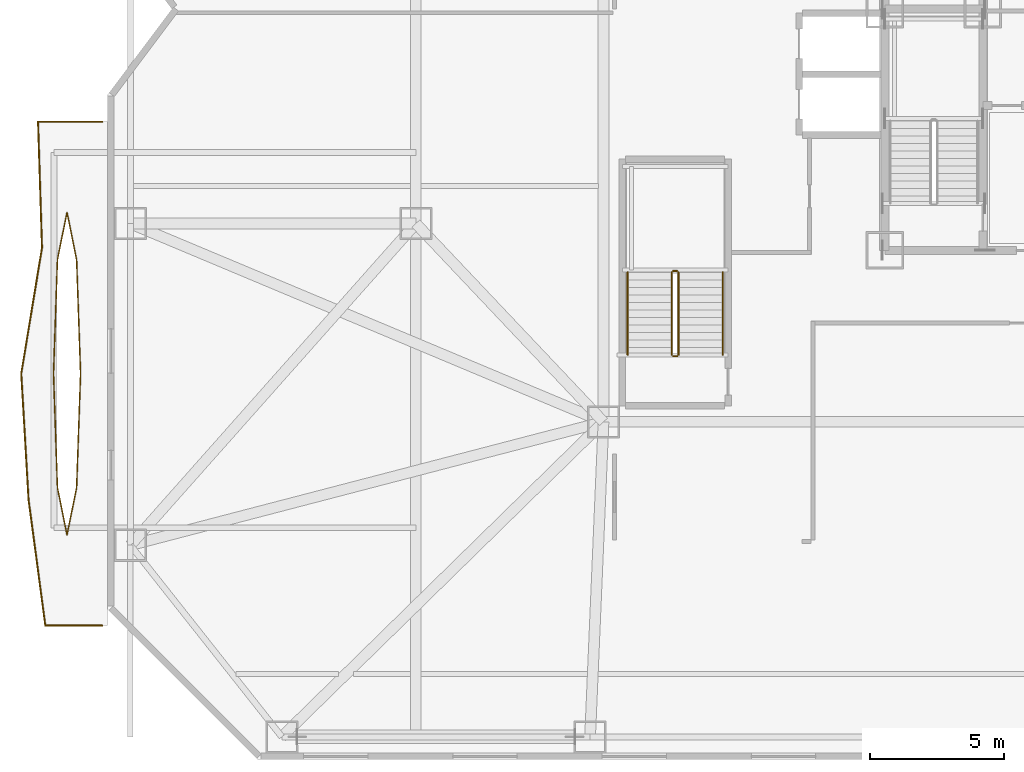
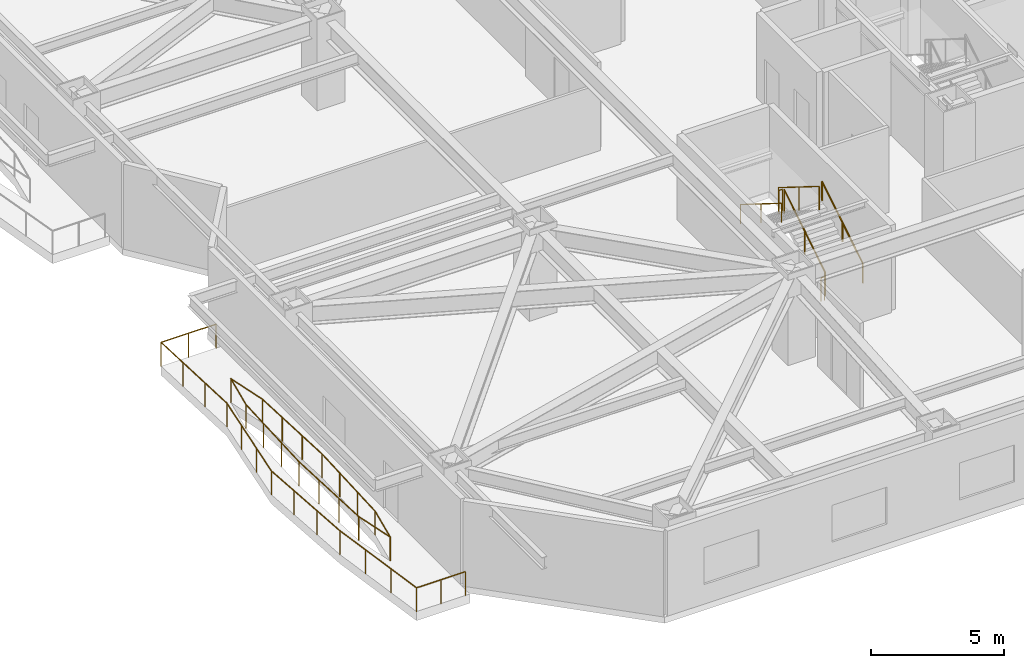
# One storey, part 20 of 25: 10 railings.
"""IFC4 building model written with IfcOpenShell, lengths in metres."""

from ifc_helpers import new_model, si_unit, direction, frame, origin, origin_2d, place, context, subcontext, project, spatial, circle, extrude, material, type_object, element, save


model = new_model("IFC4")

# Units and contexts
model_context = context("Model", 3, precision=1e-05, world=origin(), true_north=direction((0.0, 1.0)))
body_context = subcontext(model_context, "Body", "Model", "MODEL_VIEW")
ifc_project = project(units=[si_unit("LENGTHUNIT", "METRE"), si_unit("AREAUNIT", "SQUARE_METRE"), si_unit("VOLUMEUNIT", "CUBIC_METRE"), si_unit("PLANEANGLEUNIT", "RADIAN"), si_unit("MASSUNIT", "GRAM", prefix="KILO")], contexts=[model_context])

# Site, building, storey
site_placement = place(None, origin())
site = spatial("IfcSite", under=ifc_project, at=site_placement, CompositionType="ELEMENT")
building_placement = place(site_placement, origin())
building = spatial("IfcBuilding", under=site, at=building_placement, Name="Khamvora Tower", CompositionType="ELEMENT")
storey_placement = place(building_placement, frame((0.0, 0.0, 16.199951171875)))
storey = spatial("IfcBuildingStorey", under=building, at=storey_placement, Name="L03", CompositionType="ELEMENT", Elevation=16.199951171875)

# Railings
ifc_material_1 = material(Name="Stainless Steel 316 and Laminated Glass", Category="steel")
railing_type_1 = type_object("IfcRailingType", Name="RAL-GAL-1120", PredefinedType="GUARDRAIL", material=ifc_material_1)
railing_1_placement = place(storey_placement, frame((-0.199951171875, 5.0, 0.0)))
element("IfcRailing", 1, at=railing_1_placement, inside=storey, type_object=railing_type_1, Name="L03 lens gallery south perimeter guardrail WL1", PredefinedType="GUARDRAIL", context=body_context, shape_type="SweptSolid", body=[
    extrude(circle(Radius=0.02392578125, at=origin_2d()), frame((0.0, 0.0, 1.09619140625), z_axis=(-1.0, 0.0, 0.0), x_axis=(0.0, -1.0, 0.0)), (0.0, 0.0, 1.0), 2.125),
    extrude(circle(Radius=0.02392578125, at=origin_2d()), frame((-2.125, 0.0, 1.09619140625), z_axis=(-0.132224427708, 0.991219804442, 0.0), x_axis=(-0.991219804442, -0.132224427708, 0.0)), (0.0, 0.0, 1.0), 4.74169921875),
    extrude(circle(Radius=0.02392578125, at=origin_2d()), frame((-2.751953125, 4.699951171875, 1.09619140625), z_axis=(-0.057822164687, 0.998326899002, 0.0), x_axis=(-0.998326899002, -0.057822164687, 0.0)), (0.0, 0.0, 1.0), 4.707763671875),
    extrude(circle(Radius=0.02099609375, at=origin_2d()), origin(), (0.0, 0.0, 1.0), 1.072021484375),
    extrude(circle(Radius=0.02099609375, at=origin_2d()), frame((-1.0625, 0.0, 0.0)), (0.0, 0.0, 1.0), 1.072021484375),
    extrude(circle(Radius=0.02099609375, at=origin_2d()), frame((-2.125, 0.0, 0.0)), (0.0, 0.0, 1.0), 1.072021484375),
    extrude(circle(Radius=0.02099609375, at=origin_2d()), frame((-2.333984375, 1.566650390625, 0.0)), (0.0, 0.0, 1.0), 1.072021484375),
    extrude(circle(Radius=0.02099609375, at=origin_2d()), frame((-2.54296875, 3.13330078125, 0.0)), (0.0, 0.0, 1.0), 1.072021484375),
    extrude(circle(Radius=0.02099609375, at=origin_2d()), frame((-2.751953125, 4.699951171875, 0.0)), (0.0, 0.0, 1.0), 1.072021484375),
    extrude(circle(Radius=0.02099609375, at=origin_2d()), frame((-2.8427734375, 6.2666015625, 0.0)), (0.0, 0.0, 1.0), 1.072021484375),
    extrude(circle(Radius=0.02099609375, at=origin_2d()), frame((-2.933349609375, 7.833251953125, 0.0)), (0.0, 0.0, 1.0), 1.072021484375),
    extrude(circle(Radius=0.02099609375, at=origin_2d()), frame((-3.024169921875, 9.39990234375, 0.0)), (0.0, 0.0, 1.0), 1.072021484375),
])
railing_2_placement = place(storey_placement, frame((-3.22412109375, 14.39990234375, 0.0)))
element("IfcRailing", 2, at=railing_2_placement, inside=storey, type_object=railing_type_1, Name="L03 lens gallery north perimeter guardrail WL1", PredefinedType="GUARDRAIL", context=body_context, shape_type="SweptSolid", body=[
    extrude(circle(Radius=0.02392578125, at=origin_2d()), frame((0.0, 0.0, 1.09619140625), z_axis=(0.162520369495, 0.986705188746, 0.0), x_axis=(-0.986705188746, 0.162520369495, 0.0)), (0.0, 0.0, 1.0), 4.763427734375),
    extrude(circle(Radius=0.02392578125, at=origin_2d()), frame((0.774169921875, 4.7001953125, 1.09619140625), z_axis=(-0.031463299265, 0.999504907842, 0.0), x_axis=(-0.999504907842, -0.031463299265, 0.0)), (0.0, 0.0, 1.0), 4.702392578125),
    extrude(circle(Radius=0.02392578125, at=origin_2d()), frame((0.626220703125, 9.400146484375, 1.09619140625), z_axis=(1.0, 0.0, 0.0), x_axis=(0.0, 1.0, 0.0)), (0.0, 0.0, 1.0), 2.39794921875),
    extrude(circle(Radius=0.02099609375, at=origin_2d()), origin(), (0.0, 0.0, 1.0), 1.072021484375),
    extrude(circle(Radius=0.02099609375, at=origin_2d()), frame((0.258056640625, 1.566650390625, 0.0)), (0.0, 0.0, 1.0), 1.072021484375),
    extrude(circle(Radius=0.02099609375, at=origin_2d()), frame((0.51611328125, 3.133544921875, 0.0)), (0.0, 0.0, 1.0), 1.072021484375),
    extrude(circle(Radius=0.02099609375, at=origin_2d()), frame((0.774169921875, 4.7001953125, 0.0)), (0.0, 0.0, 1.0), 1.072021484375),
    extrude(circle(Radius=0.02099609375, at=origin_2d()), frame((0.724853515625, 6.266845703125, 0.0)), (0.0, 0.0, 1.0), 1.072021484375),
    extrude(circle(Radius=0.02099609375, at=origin_2d()), frame((0.675537109375, 7.83349609375, 0.0)), (0.0, 0.0, 1.0), 1.072021484375),
    extrude(circle(Radius=0.02099609375, at=origin_2d()), frame((0.626220703125, 9.400146484375, 0.0)), (0.0, 0.0, 1.0), 1.072021484375),
    extrude(circle(Radius=0.02099609375, at=origin_2d()), frame((1.8251953125, 9.400146484375, 0.0)), (0.0, 0.0, 1.0), 1.072021484375),
    extrude(circle(Radius=0.02099609375, at=origin_2d()), frame((3.024169921875, 9.400146484375, 0.0)), (0.0, 0.0, 1.0), 1.072021484375),
])
railing_3_placement = place(storey_placement, frame((-1.010986328125, 14.39990234375, 0.0)))
element("IfcRailing", 3, at=railing_3_placement, inside=storey, type_object=railing_type_1, Name="L03 lens gallery void guardrail WL1A", PredefinedType="GUARDRAIL", context=body_context, shape_type="SweptSolid", body=[
    extrude(circle(Radius=0.02392578125, at=origin_2d()), frame((0.0, 0.0, 1.09619140625), z_axis=(-0.034756605959, 0.999395806646, 0.0), x_axis=(-0.999395806646, -0.034756605959, 0.0)), (0.0, 0.0, 1.0), 4.2568359375),
    extrude(circle(Radius=0.02392578125, at=origin_2d()), frame((-0.14794921875, 4.254150390625, 1.09619140625), z_axis=(-0.198022438185, 0.980197487232, 0.0), x_axis=(-0.980197487232, -0.198022438185, 0.0)), (0.0, 0.0, 1.0), 1.797607421875),
    extrude(circle(Radius=0.02392578125, at=origin_2d()), frame((-0.50390625, 6.01611328125, 1.09619140625), z_axis=(-0.198152924969, -0.98017111686, 0.0), x_axis=(0.98017111686, -0.198152924969, 0.0)), (0.0, 0.0, 1.0), 1.797607421875),
    extrude(circle(Radius=0.02392578125, at=origin_2d()), frame((-0.860107421875, 4.254150390625, 1.09619140625), z_axis=(-0.034756605959, -0.999395806646, 0.0), x_axis=(0.999395806646, -0.034756605959, 0.0)), (0.0, 0.0, 1.0), 4.2568359375),
    extrude(circle(Radius=0.02099609375, at=origin_2d()), origin(), (0.0, 0.0, 1.0), 1.072021484375),
    extrude(circle(Radius=0.02099609375, at=origin_2d()), frame((-0.04931640625, 1.41796875, 0.0)), (0.0, 0.0, 1.0), 1.072021484375),
    extrude(circle(Radius=0.02099609375, at=origin_2d()), frame((-0.0986328125, 2.836181640625, 0.0)), (0.0, 0.0, 1.0), 1.072021484375),
    extrude(circle(Radius=0.02099609375, at=origin_2d()), frame((-0.14794921875, 4.254150390625, 0.0)), (0.0, 0.0, 1.0), 1.072021484375),
    extrude(circle(Radius=0.02099609375, at=origin_2d()), frame((-0.50390625, 6.01611328125, 0.0)), (0.0, 0.0, 1.0), 1.072021484375),
    extrude(circle(Radius=0.02099609375, at=origin_2d()), frame((-0.860107421875, 4.254150390625, 0.0)), (0.0, 0.0, 1.0), 1.072021484375),
    extrude(circle(Radius=0.02099609375, at=origin_2d()), frame((-0.909423828125, 2.836181640625, 0.0)), (0.0, 0.0, 1.0), 1.072021484375),
    extrude(circle(Radius=0.02099609375, at=origin_2d()), frame((-0.958740234375, 1.41796875, 0.0)), (0.0, 0.0, 1.0), 1.072021484375),
    extrude(circle(Radius=0.02099609375, at=origin_2d()), frame((-1.008056640625, 0.0, 0.0)), (0.0, 0.0, 1.0), 1.072021484375),
])
railing_4_placement = place(storey_placement, frame((-2.01904296875, 14.39990234375, 0.0)))
element("IfcRailing", 4, at=railing_4_placement, inside=storey, type_object=railing_type_1, Name="L03 lens gallery void guardrail WL1B", PredefinedType="GUARDRAIL", context=body_context, shape_type="SweptSolid", body=[
    extrude(circle(Radius=0.02392578125, at=origin_2d()), frame((0.0, 0.0, 1.09619140625), z_axis=(0.034758598303, -0.999395737355, 0.0), x_axis=(0.999395737355, 0.034758598303, 0.0)), (0.0, 0.0, 1.0), 4.256591796875),
    extrude(circle(Radius=0.02392578125, at=origin_2d()), frame((0.14794921875, -4.25390625, 1.09619140625), z_axis=(0.198152924969, -0.98017111686, 0.0), x_axis=(0.98017111686, 0.198152924969, 0.0)), (0.0, 0.0, 1.0), 1.797607421875),
    extrude(circle(Radius=0.02392578125, at=origin_2d()), frame((0.504150390625, -6.015869140625, 1.09619140625), z_axis=(0.198022438185, 0.980197487232, 0.0), x_axis=(-0.980197487232, 0.198022438185, 0.0)), (0.0, 0.0, 1.0), 1.797607421875),
    extrude(circle(Radius=0.02392578125, at=origin_2d()), frame((0.860107421875, -4.25390625, 1.09619140625), z_axis=(0.034758598303, 0.999395737355, 0.0), x_axis=(-0.999395737355, 0.034758598303, 0.0)), (0.0, 0.0, 1.0), 4.256591796875),
    extrude(circle(Radius=0.02099609375, at=origin_2d()), origin(), (0.0, 0.0, 1.0), 1.072021484375),
    extrude(circle(Radius=0.02099609375, at=origin_2d()), frame((0.04931640625, -1.41796875, 0.0)), (0.0, 0.0, 1.0), 1.072021484375),
    extrude(circle(Radius=0.02099609375, at=origin_2d()), frame((0.0986328125, -2.8359375, 0.0)), (0.0, 0.0, 1.0), 1.072021484375),
    extrude(circle(Radius=0.02099609375, at=origin_2d()), frame((0.14794921875, -4.25390625, 0.0)), (0.0, 0.0, 1.0), 1.072021484375),
    extrude(circle(Radius=0.02099609375, at=origin_2d()), frame((0.504150390625, -6.015869140625, 0.0)), (0.0, 0.0, 1.0), 1.072021484375),
    extrude(circle(Radius=0.02099609375, at=origin_2d()), frame((0.860107421875, -4.25390625, 0.0)), (0.0, 0.0, 1.0), 1.072021484375),
    extrude(circle(Radius=0.02099609375, at=origin_2d()), frame((0.909423828125, -2.8359375, 0.0)), (0.0, 0.0, 1.0), 1.072021484375),
    extrude(circle(Radius=0.02099609375, at=origin_2d()), frame((0.958740234375, -1.41796875, 0.0)), (0.0, 0.0, 1.0), 1.072021484375),
    extrude(circle(Radius=0.02099609375, at=origin_2d()), frame((1.008056640625, 0.0, 0.0)), (0.0, 0.0, 1.0), 1.072021484375),
])
ifc_material_2 = material(Name="Brushed Stainless Steel 316", Category="steel")
railing_type_2 = type_object("IfcRailingType", Name="RAL-HDR-920", PredefinedType="HANDRAIL", material=ifc_material_2)
railing_5_placement = place(storey_placement, frame((22.949951171875, 15.10009765625, 0.175048828125)))
element("IfcRailing", 5, at=railing_5_placement, inside=storey, type_object=railing_type_2, Name="L03 ST-03 stair handrail 1", PredefinedType="HANDRAIL", context=body_context, shape_type="SweptSolid", body=[
    extrude(circle(Radius=0.02392578125, at=origin_2d()), frame((0.0, 0.0, 0.8759765625), z_axis=(0.0, 0.847979421464, 0.530029150871), x_axis=(-1.0, 0.0, 0.0)), (0.0, 0.0, 1.0), 3.632080078125),
    extrude(circle(Radius=0.02099609375, at=origin_2d()), origin(), (0.0, 0.0, 1.0), 0.851806640625),
    extrude(circle(Radius=0.02099609375, at=origin_2d()), frame((0.0, 1.5400390625, 0.96240234375)), (0.0, 0.0, 1.0), 0.851806640625),
    extrude(circle(Radius=0.02099609375, at=origin_2d()), frame((0.0, 3.079833984375, 1.925048828125)), (0.0, 0.0, 1.0), 0.851806640625),
])
railing_6_placement = place(storey_placement, frame((19.39990234375, 18.179931640625, 2.275146484375)))
element("IfcRailing", 6, at=railing_6_placement, inside=storey, type_object=railing_type_2, Name="L03 ST-03 stair handrail 2", PredefinedType="HANDRAIL", context=body_context, shape_type="SweptSolid", body=[
    extrude(circle(Radius=0.02392578125, at=origin_2d()), frame((0.0, 0.0, 0.8759765625), z_axis=(0.0, -0.848009633417, 0.529980812513), x_axis=(1.0, 0.0, 0.0)), (0.0, 0.0, 1.0), 3.6318359375),
    extrude(circle(Radius=0.02099609375, at=origin_2d()), origin(), (0.0, 0.0, 1.0), 0.851806640625),
    extrude(circle(Radius=0.02099609375, at=origin_2d()), frame((0.0, -1.5400390625, 0.96240234375)), (0.0, 0.0, 1.0), 0.851806640625),
    extrude(circle(Radius=0.02099609375, at=origin_2d()), frame((0.0, -3.079833984375, 1.9248046875)), (0.0, 0.0, 1.0), 0.851806640625),
])
ifc_material_3 = material(Name="Stainless Steel 316", Category="steel")
railing_type_3 = type_object("IfcRailingType", Name="RAL-STG-1100", PredefinedType="GUARDRAIL", material=ifc_material_3)
railing_7_placement = place(storey_placement, frame((21.300048828125, 15.10009765625, 0.175048828125)))
element("IfcRailing", 7, at=railing_7_placement, inside=storey, type_object=railing_type_3, Name="L03 ST-03 stair guard 1", PredefinedType="GUARDRAIL", context=body_context, shape_type="SweptSolid", body=[
    extrude(circle(Radius=0.02392578125, at=origin_2d()), frame((0.0, 0.0, 1.076171875), z_axis=(0.0, 0.847979421464, 0.530029150871), x_axis=(-1.0, 0.0, 0.0)), (0.0, 0.0, 1.0), 3.632080078125),
    extrude(circle(Radius=0.02099609375, at=origin_2d()), origin(), (0.0, 0.0, 1.0), 1.052001953125),
    extrude(circle(Radius=0.02099609375, at=origin_2d()), frame((0.0, 1.5400390625, 0.96240234375)), (0.0, 0.0, 1.0), 1.052001953125),
    extrude(circle(Radius=0.02099609375, at=origin_2d()), frame((0.0, 3.079833984375, 1.925048828125)), (0.0, 0.0, 1.0), 1.052001953125),
])
railing_8_placement = place(storey_placement, frame((21.25, 18.22998046875, 2.10009765625)))
element("IfcRailing", 8, at=railing_8_placement, inside=storey, type_object=railing_type_3, Name="L03 ST-03 stair guard 2", PredefinedType="GUARDRAIL", context=body_context, shape_type="SweptSolid", body=[
    extrude(circle(Radius=0.02392578125, at=origin_2d()), frame((0.0, 0.0, 1.076171875), z_axis=(-1.0, 0.0, 0.0), x_axis=(0.0, -1.0, 0.0)), (0.0, 0.0, 1.0), 0.14990234375),
    extrude(circle(Radius=0.02099609375, at=origin_2d()), origin(), (0.0, 0.0, 1.0), 1.052001953125),
    extrude(circle(Radius=0.02099609375, at=origin_2d()), frame((-0.14990234375, 0.0, 0.0)), (0.0, 0.0, 1.0), 1.052001953125),
])
railing_9_placement = place(storey_placement, frame((21.050048828125, 18.179931640625, 2.275146484375)))
element("IfcRailing", 9, at=railing_9_placement, inside=storey, type_object=railing_type_3, Name="L03 ST-03 stair guard 3", PredefinedType="GUARDRAIL", context=body_context, shape_type="SweptSolid", body=[
    extrude(circle(Radius=0.02392578125, at=origin_2d()), frame((0.0, 0.0, 1.076171875), z_axis=(0.0, -0.848009633417, 0.529980812513), x_axis=(1.0, 0.0, 0.0)), (0.0, 0.0, 1.0), 3.6318359375),
    extrude(circle(Radius=0.02099609375, at=origin_2d()), origin(), (0.0, 0.0, 1.0), 1.052001953125),
    extrude(circle(Radius=0.02099609375, at=origin_2d()), frame((0.0, -1.5400390625, 0.96240234375)), (0.0, 0.0, 1.0), 1.052001953125),
    extrude(circle(Radius=0.02099609375, at=origin_2d()), frame((0.0, -3.079833984375, 1.9248046875)), (0.0, 0.0, 1.0), 1.052001953125),
])
railing_10_placement = place(storey_placement, frame((21.25, 15.050048828125, 0.0)))
element("IfcRailing", 10, at=railing_10_placement, inside=storey, type_object=railing_type_3, Name="L03 ST-03 stair guard 4", PredefinedType="GUARDRAIL", context=body_context, shape_type="SweptSolid", body=[
    extrude(circle(Radius=0.02392578125, at=origin_2d()), frame((0.0, 0.0, 1.076171875), z_axis=(-1.0, 0.0, 0.0), x_axis=(0.0, -1.0, 0.0)), (0.0, 0.0, 1.0), 0.14990234375),
    extrude(circle(Radius=0.02099609375, at=origin_2d()), origin(), (0.0, 0.0, 1.0), 1.052001953125),
    extrude(circle(Radius=0.02099609375, at=origin_2d()), frame((-0.14990234375, 0.0, 0.0)), (0.0, 0.0, 1.0), 1.052001953125),
])

save(model, "model.ifc")
